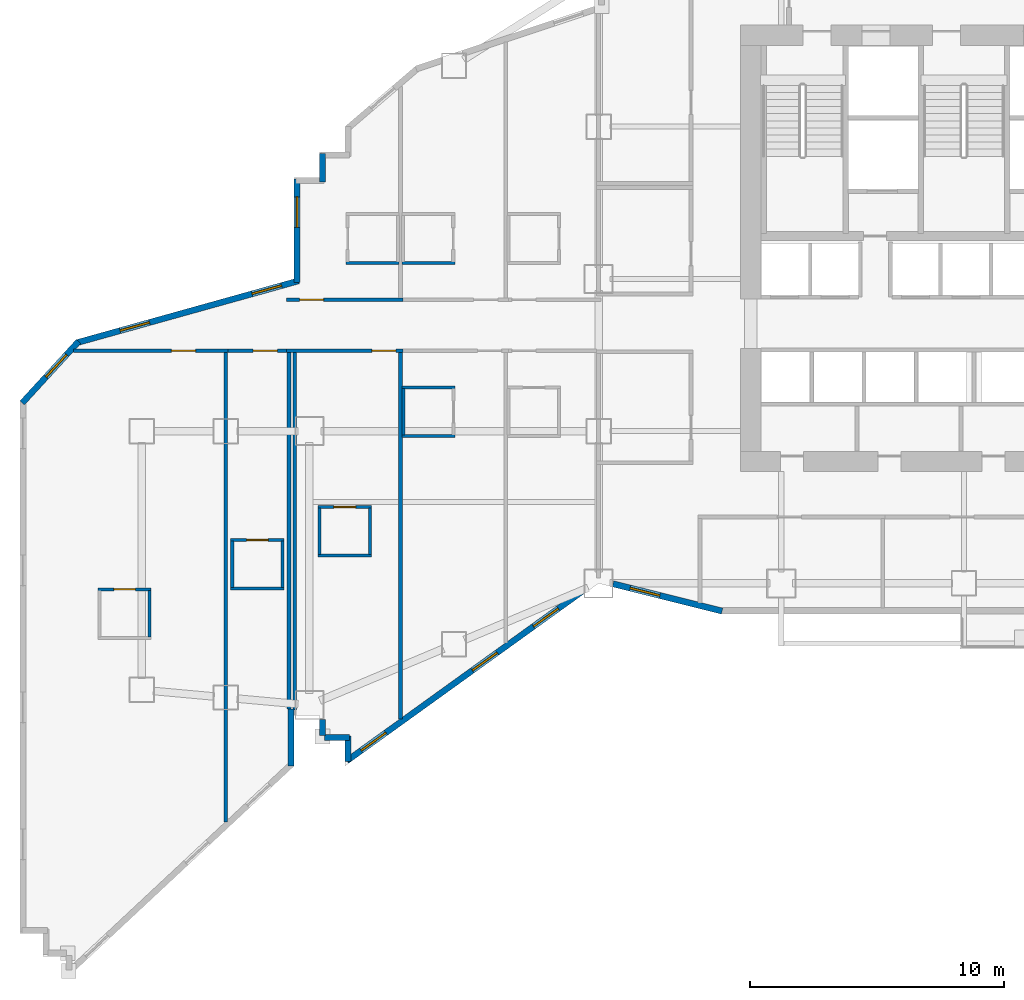
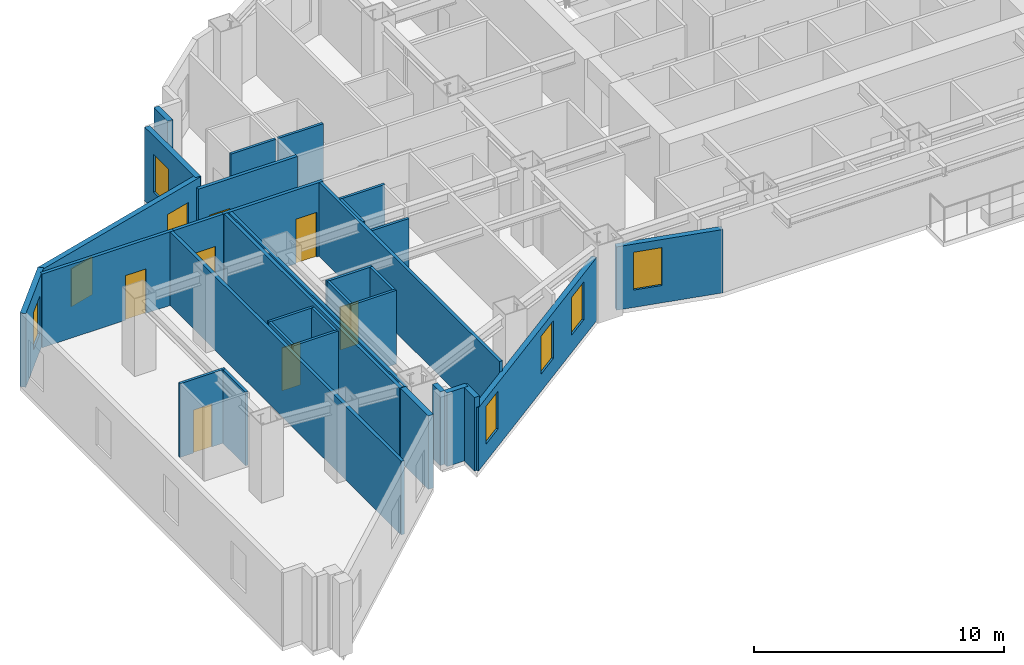
# One storey, part 7 of 17: 33 walls, 8 windows, 7 doors, 15 openings.
"""IFC4 building model written with IfcOpenShell, lengths in metres."""

from ifc_helpers import new_model, si_unit, direction, frame, frame_2d, origin, place, context, subcontext, project, spatial, rectangle, extrude, material, layer, layer_set, type_object, element, fill, save


model = new_model("IFC4")

# Units and contexts
model_context = context("Model", 3, precision=1e-05, world=origin(), true_north=direction((0.0, 1.0)))
body_context = subcontext(model_context, "Body", "Model", "MODEL_VIEW")
ifc_project = project(units=[si_unit("LENGTHUNIT", "METRE"), si_unit("AREAUNIT", "SQUARE_METRE"), si_unit("VOLUMEUNIT", "CUBIC_METRE"), si_unit("PLANEANGLEUNIT", "RADIAN"), si_unit("MASSUNIT", "GRAM", prefix="KILO")], contexts=[model_context])

# Site, building, storey
site_placement = place(None, origin())
site = spatial("IfcSite", under=ifc_project, at=site_placement, CompositionType="ELEMENT")
building_placement = place(site_placement, origin())
building = spatial("IfcBuilding", under=site, at=building_placement, Name="Haolan Belvedere Tower", CompositionType="ELEMENT")
storey_placement = place(building_placement, frame((0.0, 0.0, 81.800048828125)))
storey = spatial("IfcBuildingStorey", under=building, at=storey_placement, Name="L20", CompositionType="ELEMENT", Elevation=81.800048828125)

# Walls
ifc_material_1 = material(Name="Precast concrete C40/50", Category="concrete")
ifc_layer_1 = layer(ifc_material_1, 0.239990234375, Name="Precast concrete C40/50")
ifc_layer_set_1 = layer_set([ifc_layer_1], Name="Precast concrete C40/50")
wall_type_1 = type_object("IfcWallType", Name="WL-EXT-240", PredefinedType="SOLIDWALL", material=ifc_layer_set_1)
wall_1_placement = place(storey_placement, frame((11.8798828125, 14.397216796875, 0.0), z_axis=(0.0, 0.0, 1.0), x_axis=(0.0, 1.0, 0.0)))
element("IfcWall", 1, at=wall_1_placement, inside=storey, type_object=wall_type_1, Name="L20 pale-metal exterior spandrel wall 6.1", PredefinedType="SOLIDWALL", context=body_context, shape_type="SweptSolid", body=[
    extrude(rectangle(XDim=2.24267578125, YDim=0.239990234375, at=frame_2d((1.121337890625, 0.0))), origin(), (0.0, 0.0, 1.0), 3.599853515625),
])
wall_2_placement = place(storey_placement, frame((13.1201171875, 16.23291015625, 0.0), z_axis=(0.0, 0.0, 1.0), x_axis=(0.0, -1.0, 0.0)))
element("IfcWall", 2, at=wall_2_placement, inside=storey, type_object=wall_type_1, Name="L20 pale-metal exterior spandrel wall 8.1", PredefinedType="SOLIDWALL", context=body_context, shape_type="SweptSolid", body=[
    extrude(rectangle(XDim=0.6279296875, YDim=0.239990234375, at=frame_2d((0.31396484375, 0.0))), origin(), (0.0, 0.0, 1.0), 3.599853515625),
])
wall_3_placement = place(storey_placement, frame((13.205078125, 15.52001953125, 0.0), z_axis=(0.0, 0.0, 1.0), x_axis=(1.0, 0.0, 0.0)))
element("IfcWall", 3, at=wall_3_placement, inside=storey, type_object=wall_type_1, Name="L20 pale-metal exterior spandrel wall 9.1", PredefinedType="SOLIDWALL", context=body_context, shape_type="SweptSolid", body=[
    extrude(rectangle(XDim=0.969970703125, YDim=0.239990234375, at=frame_2d((0.48486328125, 0.0))), origin(), (0.0, 0.0, 1.0), 3.599853515625),
])
wall_4_placement = place(storey_placement, frame((14.1201171875, 15.574951171875, 0.0), z_axis=(0.0, 0.0, 1.0), x_axis=(0.0, -1.0, 0.0)))
element("IfcWall", 4, at=wall_4_placement, inside=storey, type_object=wall_type_1, Name="L20 pale-metal exterior spandrel wall 10.1", PredefinedType="SOLIDWALL", context=body_context, shape_type="SweptSolid", body=[
    extrude(rectangle(XDim=0.99560546875, YDim=0.239990234375, at=frame_2d((0.497802734375, 0.0))), origin(), (0.0, 0.0, 1.0), 3.599853515625),
])

# Wall, openings, windows
wall_5_placement = place(storey_placement, frame((14.075439453125, 14.602294921875, 0.0), z_axis=(0.0, 0.0, 1.0), x_axis=(0.811543176492, 0.58429245476, 0.0)))
wall_5 = element("IfcWall", 5, at=wall_5_placement, inside=storey, type_object=wall_type_1, Name="L20 pale-metal exterior spandrel wall 11.1", PredefinedType="SOLIDWALL", context=body_context, shape_type="SweptSolid", body=[
    extrude(rectangle(XDim=11.53076171875, YDim=0.239990234375, at=frame_2d((5.765380859375, 0.0))), origin(), (0.0, 0.0, 1.0), 3.096923828125),
])
opening_1_placement = place(wall_5_placement, frame((0.699951171875, 0.0, 0.85009765625)))
opening_1 = element("IfcOpeningElement", 6, at=opening_1_placement, cuts=wall_5, Name="Opening W-01", PredefinedType="OPENING", context=body_context, shape_type="SweptSolid", body=[
    extrude(rectangle(XDim=1.199951171875, YDim=1.85009765625, at=frame_2d((0.60009765625, 0.925048828125))), frame((0.0, 0.1298828125, 0.0), z_axis=(0.0, -1.0, 0.0), x_axis=(1.0, 0.0, 0.0)), (0.0, 0.0, 1.0), 0.260009765625),
])
opening_2_placement = place(wall_5_placement, frame((6.10009765625, 0.0, 0.85009765625)))
opening_2 = element("IfcOpeningElement", 7, at=opening_2_placement, cuts=wall_5, Name="Opening W-01", PredefinedType="OPENING", context=body_context, shape_type="SweptSolid", body=[
    extrude(rectangle(XDim=1.199951171875, YDim=1.85009765625, at=frame_2d((0.60009765625, 0.925048828125))), frame((0.0, 0.1298828125, 0.0), z_axis=(0.0, -1.0, 0.0), x_axis=(1.0, 0.0, 0.0)), (0.0, 0.0, 1.0), 0.260009765625),
])
opening_3_placement = place(wall_5_placement, frame((9.069580078125, 0.0, 0.85009765625)))
opening_3 = element("IfcOpeningElement", 8, at=opening_3_placement, cuts=wall_5, Name="Opening W-01", PredefinedType="OPENING", context=body_context, shape_type="SweptSolid", body=[
    extrude(rectangle(XDim=1.199951171875, YDim=1.85009765625, at=frame_2d((0.60009765625, 0.925048828125))), frame((0.0, 0.1298828125, 0.0), z_axis=(0.0, -1.0, 0.0), x_axis=(1.0, 0.0, 0.0)), (0.0, 0.0, 1.0), 0.260009765625),
])
ifc_material_2 = material(Name="Anodised aluminium 6063-T6 and Low-E glass", Category="aluminium")
window_type = type_object("IfcWindowType", Name="WN-DECO-Z1", PartitioningType="SINGLE_PANEL", PredefinedType="WINDOW", material=ifc_material_2)
window_1_placement = place(opening_1_placement, origin())
window_1 = element("IfcWindow", 9, at=window_1_placement, inside=storey, type_object=window_type, Name="L20 Art Deco chevron window 1", OverallHeight=1.85009765625, OverallWidth=1.199951171875, PartitioningType="SINGLE_PANEL", PredefinedType="WINDOW", context=body_context, shape_type="SweptSolid", body=[
    extrude(rectangle(XDim=1.199951171875, YDim=1.85009765625, at=frame_2d((0.60009765625, 0.925048828125))), frame((0.0, 0.030029296875, 0.0), z_axis=(0.0, -1.0, 0.0), x_axis=(1.0, 0.0, 0.0)), (0.0, 0.0, 1.0), 0.06005859375),
])
fill(opening_1, window_1)
window_2_placement = place(opening_2_placement, origin())
window_2 = element("IfcWindow", 10, at=window_2_placement, inside=storey, type_object=window_type, Name="L20 Art Deco chevron window 2", OverallHeight=1.85009765625, OverallWidth=1.199951171875, PartitioningType="SINGLE_PANEL", PredefinedType="WINDOW", context=body_context, shape_type="SweptSolid", body=[
    extrude(rectangle(XDim=1.199951171875, YDim=1.85009765625, at=frame_2d((0.60009765625, 0.925048828125))), frame((0.0, 0.030029296875, 0.0), z_axis=(0.0, -1.0, 0.0), x_axis=(1.0, 0.0, 0.0)), (0.0, 0.0, 1.0), 0.06005859375),
])
fill(opening_2, window_2)
window_3_placement = place(opening_3_placement, origin())
window_3 = element("IfcWindow", 11, at=window_3_placement, inside=storey, type_object=window_type, Name="L20 Art Deco guestroom window 1", OverallHeight=1.85009765625, OverallWidth=1.199951171875, PartitioningType="SINGLE_PANEL", PredefinedType="WINDOW", context=body_context, shape_type="SweptSolid", body=[
    extrude(rectangle(XDim=1.199951171875, YDim=1.85009765625, at=frame_2d((0.60009765625, 0.925048828125))), frame((0.0, 0.030029296875, 0.0), z_axis=(0.0, -1.0, 0.0), x_axis=(1.0, 0.0, 0.0)), (0.0, 0.0, 1.0), 0.06005859375),
])
fill(opening_3, window_3)

# Wall, opening, window
wall_6_placement = place(storey_placement, frame((24.56689453125, 21.581787109375, 0.0), z_axis=(0.0, 0.0, 1.0), x_axis=(0.970148978127, -0.24250971164, 0.0)))
wall_6 = element("IfcWall", 12, at=wall_6_placement, inside=storey, type_object=wall_type_1, Name="L20 pale-metal exterior spandrel wall 12.1", PredefinedType="SOLIDWALL", context=body_context, shape_type="SweptSolid", body=[
    extrude(rectangle(XDim=4.43359375, YDim=0.239990234375, at=frame_2d((2.216796875, 0.0))), origin(), (0.0, 0.0, 1.0), 3.096923828125),
])
opening_4_placement = place(wall_6_placement, frame((0.699951171875, 0.0, 0.85009765625)))
opening_4 = element("IfcOpeningElement", 13, at=opening_4_placement, cuts=wall_6, Name="Opening W-01", PredefinedType="OPENING", context=body_context, shape_type="SweptSolid", body=[
    extrude(rectangle(XDim=1.199951171875, YDim=1.85009765625, at=frame_2d((0.60009765625, 0.925048828125))), frame((0.0, 0.1298828125, 0.0), z_axis=(0.0, -1.0, 0.0), x_axis=(1.0, 0.0, 0.0)), (0.0, 0.0, 1.0), 0.260009765625),
])
window_4_placement = place(opening_4_placement, origin())
window_4 = element("IfcWindow", 14, at=window_4_placement, inside=storey, type_object=window_type, Name="L20 Art Deco chevron window 1", OverallHeight=1.85009765625, OverallWidth=1.199951171875, PartitioningType="SINGLE_PANEL", PredefinedType="WINDOW", context=body_context, shape_type="SweptSolid", body=[
    extrude(rectangle(XDim=1.199951171875, YDim=1.85009765625, at=frame_2d((0.60009765625, 0.925048828125))), frame((0.0, 0.030029296875, 0.0), z_axis=(0.0, -1.0, 0.0), x_axis=(1.0, 0.0, 0.0)), (0.0, 0.0, 1.0), 0.06005859375),
])
fill(opening_4, window_4)

# Wall
wall_7_placement = place(storey_placement, frame((13.1201171875, 38.534912109375, 0.0), z_axis=(0.0, 0.0, 1.0), x_axis=(0.0, -1.0, 0.0)))
element("IfcWall", 15, at=wall_7_placement, inside=storey, type_object=wall_type_1, Name="L20 pale-metal exterior spandrel wall 54.1", PredefinedType="SOLIDWALL", context=body_context, shape_type="SweptSolid", body=[
    extrude(rectangle(XDim=1.10986328125, YDim=0.239990234375, at=frame_2d((0.554931640625, 0.0))), origin(), (0.0, 0.0, 1.0), 3.599853515625),
])

# Wall, opening, window
wall_8_placement = place(storey_placement, frame((12.1201171875, 37.534912109375, 0.0), z_axis=(0.0, 0.0, 1.0), x_axis=(0.0, -1.0, 0.0)))
wall_8 = element("IfcWall", 16, at=wall_8_placement, inside=storey, type_object=wall_type_1, Name="L20 pale-metal exterior spandrel wall 56.1", PredefinedType="SOLIDWALL", context=body_context, shape_type="SweptSolid", body=[
    extrude(rectangle(XDim=4.0810546875, YDim=0.239990234375, at=frame_2d((2.04052734375, 0.0))), origin(), (0.0, 0.0, 1.0), 3.599853515625),
])
opening_5_placement = place(wall_8_placement, frame((0.699951171875, 0.0, 0.85009765625)))
opening_5 = element("IfcOpeningElement", 17, at=opening_5_placement, cuts=wall_8, Name="Opening W-01", PredefinedType="OPENING", context=body_context, shape_type="SweptSolid", body=[
    extrude(rectangle(XDim=1.199951171875, YDim=1.85009765625, at=frame_2d((0.60009765625, 0.925048828125))), frame((0.0, 0.1298828125, 0.0), z_axis=(0.0, -1.0, 0.0), x_axis=(1.0, 0.0, 0.0)), (0.0, 0.0, 1.0), 0.260009765625),
])
window_5_placement = place(opening_5_placement, origin())
window_5 = element("IfcWindow", 18, at=window_5_placement, inside=storey, type_object=window_type, Name="L20 Art Deco chevron window 1", OverallHeight=1.85009765625, OverallWidth=1.199951171875, PartitioningType="SINGLE_PANEL", PredefinedType="WINDOW", context=body_context, shape_type="SweptSolid", body=[
    extrude(rectangle(XDim=1.199951171875, YDim=1.85009765625, at=frame_2d((0.60009765625, 0.925048828125))), frame((0.0, 0.030029296875, 0.0), z_axis=(0.0, -1.0, 0.0), x_axis=(1.0, 0.0, 0.0)), (0.0, 0.0, 1.0), 0.06005859375),
])
fill(opening_5, window_5)

# Wall, openings, windows
wall_9_placement = place(storey_placement, frame((12.173095703125, 33.523681640625, 0.0), z_axis=(0.0, 0.0, 1.0), x_axis=(-0.963197271032, -0.268795493036, 0.0)))
wall_9 = element("IfcWall", 19, at=wall_9_placement, inside=storey, type_object=wall_type_1, Name="L20 pale-metal exterior spandrel wall 57.1", PredefinedType="SOLIDWALL", context=body_context, shape_type="SweptSolid", body=[
    extrude(rectangle(XDim=9.095458984375, YDim=0.239990234375, at=frame_2d((4.5478515625, 0.0))), origin(), (0.0, 0.0, 1.0), 3.599853515625),
])
opening_6_placement = place(wall_9_placement, frame((0.699951171875, 0.0, 0.85009765625)))
opening_6 = element("IfcOpeningElement", 20, at=opening_6_placement, cuts=wall_9, Name="Opening W-01", PredefinedType="OPENING", context=body_context, shape_type="SweptSolid", body=[
    extrude(rectangle(XDim=1.199951171875, YDim=1.85009765625, at=frame_2d((0.60009765625, 0.925048828125))), frame((0.0, 0.1298828125, 0.0), z_axis=(0.0, -1.0, 0.0), x_axis=(1.0, 0.0, 0.0)), (0.0, 0.0, 1.0), 0.260009765625),
])
opening_7_placement = place(wall_9_placement, frame((6.10009765625, 0.0, 0.85009765625)))
opening_7 = element("IfcOpeningElement", 21, at=opening_7_placement, cuts=wall_9, Name="Opening W-01", PredefinedType="OPENING", context=body_context, shape_type="SweptSolid", body=[
    extrude(rectangle(XDim=1.199951171875, YDim=1.85009765625, at=frame_2d((0.60009765625, 0.925048828125))), frame((0.0, 0.1298828125, 0.0), z_axis=(0.0, -1.0, 0.0), x_axis=(1.0, 0.0, 0.0)), (0.0, 0.0, 1.0), 0.260009765625),
])
window_6_placement = place(opening_6_placement, origin())
window_6 = element("IfcWindow", 22, at=window_6_placement, inside=storey, type_object=window_type, Name="L20 Art Deco chevron window 1", OverallHeight=1.85009765625, OverallWidth=1.199951171875, PartitioningType="SINGLE_PANEL", PredefinedType="WINDOW", context=body_context, shape_type="SweptSolid", body=[
    extrude(rectangle(XDim=1.199951171875, YDim=1.85009765625, at=frame_2d((0.60009765625, 0.925048828125))), frame((0.0, 0.030029296875, 0.0), z_axis=(0.0, -1.0, 0.0), x_axis=(1.0, 0.0, 0.0)), (0.0, 0.0, 1.0), 0.06005859375),
])
fill(opening_6, window_6)
window_7_placement = place(opening_7_placement, origin())
window_7 = element("IfcWindow", 23, at=window_7_placement, inside=storey, type_object=window_type, Name="L20 Art Deco chevron window 2", OverallHeight=1.85009765625, OverallWidth=1.199951171875, PartitioningType="SINGLE_PANEL", PredefinedType="WINDOW", context=body_context, shape_type="SweptSolid", body=[
    extrude(rectangle(XDim=1.199951171875, YDim=1.85009765625, at=frame_2d((0.60009765625, 0.925048828125))), frame((0.0, 0.030029296875, 0.0), z_axis=(0.0, -1.0, 0.0), x_axis=(1.0, 0.0, 0.0)), (0.0, 0.0, 1.0), 0.06005859375),
])
fill(opening_7, window_7)

# Wall, opening, window
wall_10_placement = place(storey_placement, frame((3.50244140625, 31.134033203125, 0.0), z_axis=(0.0, 0.0, 1.0), x_axis=(-0.675781844312, -0.737101688302, 0.0)))
wall_10 = element("IfcWall", 24, at=wall_10_placement, inside=storey, type_object=wall_type_1, Name="L20 pale-metal exterior spandrel wall 58.1", PredefinedType="SOLIDWALL", context=body_context, shape_type="SweptSolid", body=[
    extrude(rectangle(XDim=3.28466796875, YDim=0.239990234375, at=frame_2d((1.642333984375, 0.0))), origin(), (0.0, 0.0, 1.0), 3.599853515625),
])
opening_8_placement = place(wall_10_placement, frame((0.699951171875, 0.0, 0.85009765625)))
opening_8 = element("IfcOpeningElement", 25, at=opening_8_placement, cuts=wall_10, Name="Opening W-01", PredefinedType="OPENING", context=body_context, shape_type="SweptSolid", body=[
    extrude(rectangle(XDim=1.199951171875, YDim=1.85009765625, at=frame_2d((0.60009765625, 0.925048828125))), frame((0.0, 0.1298828125, 0.0), z_axis=(0.0, -1.0, 0.0), x_axis=(1.0, 0.0, 0.0)), (0.0, 0.0, 1.0), 0.260009765625),
])
window_8_placement = place(opening_8_placement, origin())
window_8 = element("IfcWindow", 26, at=window_8_placement, inside=storey, type_object=window_type, Name="L20 Art Deco chevron window 1", OverallHeight=1.85009765625, OverallWidth=1.199951171875, PartitioningType="SINGLE_PANEL", PredefinedType="WINDOW", context=body_context, shape_type="SweptSolid", body=[
    extrude(rectangle(XDim=1.199951171875, YDim=1.85009765625, at=frame_2d((0.60009765625, 0.925048828125))), frame((0.0, 0.030029296875, 0.0), z_axis=(0.0, -1.0, 0.0), x_axis=(1.0, 0.0, 0.0)), (0.0, 0.0, 1.0), 0.06005859375),
])
fill(opening_8, window_8)

# Wall, opening, door
ifc_material_3 = material(Name="Double gypsum acoustic stud partition", Category="masonry")
ifc_layer_2 = layer(ifc_material_3, 0.14990234375, Name="Double gypsum acoustic stud partition")
ifc_layer_set_2 = layer_set([ifc_layer_2], Name="Double gypsum acoustic stud partition")
wall_type_2 = type_object("IfcWallType", Name="WL-PART-150", PredefinedType="PARTITIONING", material=ifc_layer_set_2)
wall_11_placement = place(storey_placement, frame((11.699951171875, 32.780029296875, 0.0), z_axis=(0.0, 0.0, 1.0), x_axis=(1.0, 0.0, 0.0)))
wall_11 = element("IfcWall", 27, at=wall_11_placement, inside=storey, type_object=wall_type_2, Name="L20 interior partition IW-L20-T2N1-S", PredefinedType="PARTITIONING", context=body_context, shape_type="SweptSolid", body=[
    extrude(rectangle(XDim=4.590087890625, YDim=0.14990234375, at=frame_2d((2.294921875, 0.0))), origin(), (0.0, 0.0, 1.0), 3.599853515625),
])
opening_9_placement = place(wall_11_placement, frame((0.515625, 0.0, 0.0)))
opening_9 = element("IfcOpeningElement", 28, at=opening_9_placement, cuts=wall_11, Name="Opening ID-02", PredefinedType="OPENING", context=body_context, shape_type="SweptSolid", body=[
    extrude(rectangle(XDim=0.949951171875, YDim=2.14990234375, at=frame_2d((0.47509765625, 1.074951171875))), frame((0.0, 0.0849609375, 0.0), z_axis=(0.0, -1.0, 0.0), x_axis=(1.0, 0.0, 0.0)), (0.0, 0.0, 1.0), 0.169921875),
])
ifc_material_4 = material(Name="Acoustic oak veneer fire-rated timber", Category="wood")
door_type_1 = type_object("IfcDoorType", Name="DR-GUEST-950", OperationType="NOTDEFINED", PredefinedType="DOOR", material=ifc_material_4)
door_1_placement = place(opening_9_placement, origin())
door_1 = element("IfcDoor", 29, at=door_1_placement, inside=storey, type_object=door_type_1, Name="L20 door ID-L20-T2N1-ENT", OperationType="SINGLE_SWING_RIGHT", OverallHeight=2.14990234375, OverallWidth=0.949951171875, PredefinedType="DOOR", context=body_context, shape_type="SweptSolid", body=[
    extrude(rectangle(XDim=0.949951171875, YDim=2.14990234375, at=frame_2d((0.47509765625, 1.074951171875))), frame((0.0, 0.02490234375, 0.0), z_axis=(0.0, -1.0, 0.0), x_axis=(1.0, 0.0, 0.0)), (0.0, 0.0, 1.0), 0.050048828125),
])
fill(opening_9, door_1)

wall_12_placement = place(storey_placement, frame((11.699951171875, 30.77001953125, 0.0), z_axis=(0.0, 0.0, 1.0), x_axis=(1.0, 0.0, 0.0)))
wall_12 = element("IfcWall", 30, at=wall_12_placement, inside=storey, type_object=wall_type_2, Name="L20 interior partition IW-L20-T2S1-N", PredefinedType="PARTITIONING", context=body_context, shape_type="SweptSolid", body=[
    extrude(rectangle(XDim=4.590087890625, YDim=0.14990234375, at=frame_2d((2.294921875, 0.0))), origin(), (0.0, 0.0, 1.0), 3.599853515625),
])
opening_10_placement = place(wall_12_placement, frame((4.311279296875, 0.0, 0.0), z_axis=(0.0, 0.0, 1.0), x_axis=(-1.0, 0.0, 0.0)))
opening_10 = element("IfcOpeningElement", 31, at=opening_10_placement, cuts=wall_12, Name="Opening ID-01", PredefinedType="OPENING", context=body_context, shape_type="SweptSolid", body=[
    extrude(rectangle(XDim=0.949951171875, YDim=2.179931640625, at=frame_2d((0.47509765625, 1.08984375))), frame((0.0, 0.0849609375, 0.0), z_axis=(0.0, -1.0, 0.0), x_axis=(1.0, 0.0, 0.0)), (0.0, 0.0, 1.0), 0.169921875),
])
ifc_material_5 = material(Name="Acoustic walnut veneer fire-rated timber", Category="wood")
door_type_2 = type_object("IfcDoorType", Name="DR-SUITE-950", OperationType="NOTDEFINED", PredefinedType="DOOR", material=ifc_material_5)
door_2_placement = place(opening_10_placement, origin())
door_2 = element("IfcDoor", 32, at=door_2_placement, inside=storey, type_object=door_type_2, Name="L20 door ID-L20-T2S1-ENT", OperationType="SINGLE_SWING_LEFT", OverallHeight=2.179931640625, OverallWidth=0.949951171875, PredefinedType="DOOR", context=body_context, shape_type="SweptSolid", body=[
    extrude(rectangle(XDim=0.949951171875, YDim=2.179931640625, at=frame_2d((0.47509765625, 1.08984375))), frame((0.0, 0.02490234375, 0.0), z_axis=(0.0, -1.0, 0.0), x_axis=(1.0, 0.0, 0.0)), (0.0, 0.0, 1.0), 0.050048828125),
])
fill(opening_10, door_2)

# Walls
wall_13_placement = place(storey_placement, frame((11.800048828125, 16.64208984375, 0.0), z_axis=(0.0, 0.0, 1.0), x_axis=(0.0, 1.0, 0.0)))
element("IfcWall", 33, at=wall_13_placement, inside=storey, type_object=wall_type_2, Name="L20 interior partition IW-L20-T2S1-W", PredefinedType="PARTITIONING", context=body_context, shape_type="SweptSolid", body=[
    extrude(rectangle(XDim=14.06787109375, YDim=0.14990234375, at=frame_2d((7.033935546875, 0.0))), origin(), (0.0, 0.0, 1.0), 3.599853515625),
])
wall_14_placement = place(storey_placement, frame((16.18994140625, 16.254150390625, 0.0), z_axis=(0.0, 0.0, 1.0), x_axis=(0.0, 1.0, 0.0)))
element("IfcWall", 34, at=wall_14_placement, inside=storey, type_object=wall_type_2, Name="L20 interior partition IW-L20-T2S1-E", PredefinedType="PARTITIONING", context=body_context, shape_type="SweptSolid", body=[
    extrude(rectangle(XDim=14.455810546875, YDim=0.14990234375, at=frame_2d((7.22802734375, 0.0))), origin(), (0.0, 0.0, 1.0), 3.599853515625),
])

# Wall, opening, door
wall_15_placement = place(storey_placement, frame((3.311279296875, 30.77001953125, 0.0), z_axis=(0.0, 0.0, 1.0), x_axis=(1.0, 0.0, 0.0)))
wall_15 = element("IfcWall", 35, at=wall_15_placement, inside=storey, type_object=wall_type_2, Name="L20 interior partition IW-L20-T1S1-N", PredefinedType="PARTITIONING", context=body_context, shape_type="SweptSolid", body=[
    extrude(rectangle(XDim=6.088623046875, YDim=0.14990234375, at=frame_2d((3.04443359375, 0.0))), origin(), (0.0, 0.0, 1.0), 3.599853515625),
])
opening_11_placement = place(wall_15_placement, frame((4.800537109375, 0.0, 0.0), z_axis=(0.0, 0.0, 1.0), x_axis=(-1.0, 0.0, 0.0)))
opening_11 = element("IfcOpeningElement", 36, at=opening_11_placement, cuts=wall_15, Name="Opening ID-01", PredefinedType="OPENING", context=body_context, shape_type="SweptSolid", body=[
    extrude(rectangle(XDim=0.949951171875, YDim=2.179931640625, at=frame_2d((0.47509765625, 1.08984375))), frame((0.0, 0.0849609375, 0.0), z_axis=(0.0, -1.0, 0.0), x_axis=(1.0, 0.0, 0.0)), (0.0, 0.0, 1.0), 0.169921875),
])
door_3_placement = place(opening_11_placement, origin())
door_3 = element("IfcDoor", 37, at=door_3_placement, inside=storey, type_object=door_type_2, Name="L20 door ID-L20-T1S1-ENT", OperationType="SINGLE_SWING_RIGHT", OverallHeight=2.179931640625, OverallWidth=0.949951171875, PredefinedType="DOOR", context=body_context, shape_type="SweptSolid", body=[
    extrude(rectangle(XDim=0.949951171875, YDim=2.179931640625, at=frame_2d((0.47509765625, 1.08984375))), frame((0.0, 0.02490234375, 0.0), z_axis=(0.0, -1.0, 0.0), x_axis=(1.0, 0.0, 0.0)), (0.0, 0.0, 1.0), 0.050048828125),
])
fill(opening_11, door_3)

# Wall
wall_16_placement = place(storey_placement, frame((9.300048828125, 12.187744140625, 0.0), z_axis=(0.0, 0.0, 1.0), x_axis=(0.0, 1.0, 0.0)))
element("IfcWall", 38, at=wall_16_placement, inside=storey, type_object=wall_type_2, Name="L20 interior partition IW-L20-T1S1-E", PredefinedType="PARTITIONING", context=body_context, shape_type="SweptSolid", body=[
    extrude(rectangle(XDim=18.522216796875, YDim=0.14990234375, at=frame_2d((9.26123046875, 0.0))), origin(), (0.0, 0.0, 1.0), 3.599853515625),
])

# Wall, opening, door
wall_17_placement = place(storey_placement, frame((9.402099609375, 30.77001953125, 0.0), z_axis=(0.0, 0.0, 1.0), x_axis=(1.0, 0.0, 0.0)))
wall_17 = element("IfcWall", 39, at=wall_17_placement, inside=storey, type_object=wall_type_2, Name="L20 interior partition IW-L20-T1S2-N", PredefinedType="PARTITIONING", context=body_context, shape_type="SweptSolid", body=[
    extrude(rectangle(XDim=2.2958984375, YDim=0.14990234375, at=frame_2d((1.14794921875, 0.0))), origin(), (0.0, 0.0, 1.0), 3.599853515625),
])
opening_12_placement = place(wall_17_placement, frame((1.93408203125, 0.0, 0.0), z_axis=(0.0, 0.0, 1.0), x_axis=(-1.0, 0.0, 0.0)))
opening_12 = element("IfcOpeningElement", 40, at=opening_12_placement, cuts=wall_17, Name="Opening ID-02", PredefinedType="OPENING", context=body_context, shape_type="SweptSolid", body=[
    extrude(rectangle(XDim=0.949951171875, YDim=2.14990234375, at=frame_2d((0.47509765625, 1.074951171875))), frame((0.0, 0.0849609375, 0.0), z_axis=(0.0, -1.0, 0.0), x_axis=(1.0, 0.0, 0.0)), (0.0, 0.0, 1.0), 0.169921875),
])
door_4_placement = place(opening_12_placement, origin())
door_4 = element("IfcDoor", 41, at=door_4_placement, inside=storey, type_object=door_type_1, Name="L20 door ID-L20-T1S2-ENT", OperationType="SINGLE_SWING_LEFT", OverallHeight=2.14990234375, OverallWidth=0.949951171875, PredefinedType="DOOR", context=body_context, shape_type="SweptSolid", body=[
    extrude(rectangle(XDim=0.949951171875, YDim=2.14990234375, at=frame_2d((0.47509765625, 1.074951171875))), frame((0.0, 0.02490234375, 0.0), z_axis=(0.0, -1.0, 0.0), x_axis=(1.0, 0.0, 0.0)), (0.0, 0.0, 1.0), 0.050048828125),
])
fill(opening_12, door_4)

# Walls
wall_18_placement = place(storey_placement, frame((12.02001953125, 16.612060546875, 0.0), z_axis=(0.0, 0.0, 1.0), x_axis=(0.0, 1.0, 0.0)))
element("IfcWall", 42, at=wall_18_placement, inside=storey, type_object=wall_type_2, Name="L20 interior partition IW-L20-T1S2-E", PredefinedType="PARTITIONING", context=body_context, shape_type="SweptSolid", body=[
    extrude(rectangle(XDim=14.097900390625, YDim=0.14990234375, at=frame_2d((7.048828125, 0.0))), origin(), (0.0, 0.0, 1.0), 3.599853515625),
])
ifc_material_6 = material(Name="Moisture-resistant gypsum tile partition", Category="masonry")
ifc_layer_3 = layer(ifc_material_6, 0.1201171875, Name="Moisture-resistant gypsum tile partition")
ifc_layer_set_3 = layer_set([ifc_layer_3], Name="Moisture-resistant gypsum tile partition")
wall_type_3 = type_object("IfcWallType", Name="WL-WET-120", PredefinedType="PARTITIONING", material=ifc_layer_set_3)
wall_19_placement = place(storey_placement, frame((14.050048828125, 34.22998046875, 0.0), z_axis=(0.0, 0.0, 1.0), x_axis=(1.0, 0.0, 0.0)))
element("IfcWall", 43, at=wall_19_placement, inside=storey, type_object=wall_type_3, Name="L20 interior partition IW-L20-T2N1-BS", PredefinedType="PARTITIONING", context=body_context, shape_type="SweptSolid", body=[
    extrude(rectangle(XDim=2.079833984375, YDim=0.1201171875, at=frame_2d((1.0400390625, 0.0))), origin(), (0.0, 0.0, 1.0), 3.599853515625),
])
wall_20_placement = place(storey_placement, frame((16.25, 34.22998046875, 0.0), z_axis=(0.0, 0.0, 1.0), x_axis=(1.0, 0.0, 0.0)))
element("IfcWall", 44, at=wall_20_placement, inside=storey, type_object=wall_type_3, Name="L20 interior partition IW-L20-T2N2-BS", PredefinedType="PARTITIONING", context=body_context, shape_type="SweptSolid", body=[
    extrude(rectangle(XDim=2.080078125, YDim=0.1201171875, at=frame_2d((1.0400390625, 0.0))), origin(), (0.0, 0.0, 1.0), 3.599853515625),
])

# Wall, opening, door
wall_21_placement = place(storey_placement, frame((12.945068359375, 24.610107421875, 0.0), z_axis=(0.0, 0.0, 1.0), x_axis=(1.0, 0.0, 0.0)))
wall_21 = element("IfcWall", 45, at=wall_21_placement, inside=storey, type_object=wall_type_3, Name="L20 interior partition IW-L20-T2S1-BN", PredefinedType="PARTITIONING", context=body_context, shape_type="SweptSolid", body=[
    extrude(rectangle(XDim=2.099853515625, YDim=0.1201171875, at=frame_2d((1.0498046875, 0.0))), origin(), (0.0, 0.0, 1.0), 3.599853515625),
])
opening_13_placement = place(wall_21_placement, frame((1.47509765625, 0.0, 0.0), z_axis=(0.0, 0.0, 1.0), x_axis=(-1.0, 0.0, 0.0)))
opening_13 = element("IfcOpeningElement", 46, at=opening_13_placement, cuts=wall_21, Name="Opening ID-05", PredefinedType="OPENING", context=body_context, shape_type="SweptSolid", body=[
    extrude(rectangle(XDim=0.85009765625, YDim=2.10009765625, at=frame_2d((0.425048828125, 1.050048828125))), frame((0.0, 0.070068359375, 0.0), z_axis=(0.0, -1.0, 0.0), x_axis=(1.0, 0.0, 0.0)), (0.0, 0.0, 1.0), 0.14013671875),
])
ifc_material_7 = material(Name="Moisture-resistant lacquered timber", Category="wood")
door_type_3 = type_object("IfcDoorType", Name="DR-BATH-850", OperationType="NOTDEFINED", PredefinedType="DOOR", material=ifc_material_7)
door_5_placement = place(opening_13_placement, origin())
door_5 = element("IfcDoor", 47, at=door_5_placement, inside=storey, type_object=door_type_3, Name="L20 door ID-L20-T2S1-BATH", OperationType="SINGLE_SWING_RIGHT", OverallHeight=2.10009765625, OverallWidth=0.85009765625, PredefinedType="DOOR", context=body_context, shape_type="SweptSolid", body=[
    extrude(rectangle(XDim=0.85009765625, YDim=2.10009765625, at=frame_2d((0.425048828125, 1.050048828125))), frame((0.0, 0.02490234375, 0.0), z_axis=(0.0, -1.0, 0.0), x_axis=(1.0, 0.0, 0.0)), (0.0, 0.0, 1.0), 0.050048828125),
])
fill(opening_13, door_5)

# Walls
wall_22_placement = place(storey_placement, frame((12.945068359375, 22.68994140625, 0.0), z_axis=(0.0, 0.0, 1.0), x_axis=(1.0, 0.0, 0.0)))
element("IfcWall", 48, at=wall_22_placement, inside=storey, type_object=wall_type_3, Name="L20 interior partition IW-L20-T2S1-BS", PredefinedType="PARTITIONING", context=body_context, shape_type="SweptSolid", body=[
    extrude(rectangle(XDim=2.099853515625, YDim=0.1201171875, at=frame_2d((1.0498046875, 0.0))), origin(), (0.0, 0.0, 1.0), 3.599853515625),
])
for number, where, z_axis, x_axis, name in (
    (49, (13.0048828125, 22.735107421875, 0.0), (0.0, 0.0, 1.0), (0.0, 1.0, 0.0), "L20 interior partition IW-L20-T2S1-BW"),
    (50, (14.985107421875, 22.735107421875, 0.0), (0.0, 0.0, 1.0), (0.0, 1.0, 0.0), "L20 interior partition IW-L20-T2S1-BE"),
):
    element("IfcWall", number, at=place(storey_placement, frame(where, z_axis=z_axis, x_axis=x_axis)), inside=storey, type_object=wall_type_3, Name=name, PredefinedType="PARTITIONING", context=body_context, shape_type="SweptSolid", body=[
        extrude(rectangle(XDim=1.829833984375, YDim=0.1201171875, at=frame_2d((0.9150390625, 0.0))), origin(), (0.0, 0.0, 1.0), 3.599853515625),
    ])
wall_23_placement = place(storey_placement, frame((16.25, 29.320068359375, 0.0), z_axis=(0.0, 0.0, 1.0), x_axis=(1.0, 0.0, 0.0)))
element("IfcWall", 51, at=wall_23_placement, inside=storey, type_object=wall_type_3, Name="L20 interior partition IW-L20-T2S2-BN", PredefinedType="PARTITIONING", context=body_context, shape_type="SweptSolid", body=[
    extrude(rectangle(XDim=2.094970703125, YDim=0.1201171875, at=frame_2d((1.04736328125, 0.0))), origin(), (0.0, 0.0, 1.0), 3.599853515625),
])
wall_24_placement = place(storey_placement, frame((16.25, 27.39990234375, 0.0), z_axis=(0.0, 0.0, 1.0), x_axis=(1.0, 0.0, 0.0)))
element("IfcWall", 52, at=wall_24_placement, inside=storey, type_object=wall_type_3, Name="L20 interior partition IW-L20-T2S2-BS", PredefinedType="PARTITIONING", context=body_context, shape_type="SweptSolid", body=[
    extrude(rectangle(XDim=2.094970703125, YDim=0.1201171875, at=frame_2d((1.04736328125, 0.0))), origin(), (0.0, 0.0, 1.0), 3.096923828125),
])
wall_25_placement = place(storey_placement, frame((16.304931640625, 27.445068359375, 0.0), z_axis=(0.0, 0.0, 1.0), x_axis=(0.0, 1.0, 0.0)))
element("IfcWall", 53, at=wall_25_placement, inside=storey, type_object=wall_type_3, Name="L20 interior partition IW-L20-T2S2-BW", PredefinedType="PARTITIONING", context=body_context, shape_type="SweptSolid", body=[
    extrude(rectangle(XDim=1.829833984375, YDim=0.1201171875, at=frame_2d((0.9150390625, 0.0))), origin(), (0.0, 0.0, 1.0), 3.599853515625),
])

# Wall, opening, door
wall_26_placement = place(storey_placement, frame((4.264892578125, 21.364013671875, 0.0), z_axis=(0.0, 0.0, 1.0), x_axis=(1.0, 0.0, 0.0)))
wall_26 = element("IfcWall", 54, at=wall_26_placement, inside=storey, type_object=wall_type_3, Name="L20 interior partition IW-L20-T1S1-BN", PredefinedType="PARTITIONING", context=body_context, shape_type="SweptSolid", body=[
    extrude(rectangle(XDim=2.10009765625, YDim=0.1201171875, at=frame_2d((1.050048828125, 0.0))), origin(), (0.0, 0.0, 1.0), 3.599853515625),
])
opening_14_placement = place(wall_26_placement, frame((1.47509765625, 0.0, 0.0), z_axis=(0.0, 0.0, 1.0), x_axis=(-1.0, 0.0, 0.0)))
opening_14 = element("IfcOpeningElement", 55, at=opening_14_placement, cuts=wall_26, Name="Opening ID-05", PredefinedType="OPENING", context=body_context, shape_type="SweptSolid", body=[
    extrude(rectangle(XDim=0.85009765625, YDim=2.10009765625, at=frame_2d((0.425048828125, 1.050048828125))), frame((0.0, 0.070068359375, 0.0), z_axis=(0.0, -1.0, 0.0), x_axis=(1.0, 0.0, 0.0)), (0.0, 0.0, 1.0), 0.14013671875),
])
door_6_placement = place(opening_14_placement, origin())
door_6 = element("IfcDoor", 56, at=door_6_placement, inside=storey, type_object=door_type_3, Name="L20 door ID-L20-T1S1-BATH", OperationType="SINGLE_SWING_LEFT", OverallHeight=2.10009765625, OverallWidth=0.85009765625, PredefinedType="DOOR", context=body_context, shape_type="SweptSolid", body=[
    extrude(rectangle(XDim=0.85009765625, YDim=2.10009765625, at=frame_2d((0.425048828125, 1.050048828125))), frame((0.0, 0.02490234375, 0.0), z_axis=(0.0, -1.0, 0.0), x_axis=(1.0, 0.0, 0.0)), (0.0, 0.0, 1.0), 0.050048828125),
])
fill(opening_14, door_6)

# Wall
wall_27_placement = place(storey_placement, frame((6.304931640625, 19.489013671875, 0.0), z_axis=(0.0, 0.0, 1.0), x_axis=(0.0, 1.0, 0.0)))
element("IfcWall", 57, at=wall_27_placement, inside=storey, type_object=wall_type_3, Name="L20 interior partition IW-L20-T1S1-BE", PredefinedType="PARTITIONING", context=body_context, shape_type="SweptSolid", body=[
    extrude(rectangle(XDim=1.830078125, YDim=0.1201171875, at=frame_2d((0.9150390625, 0.0))), origin(), (0.0, 0.0, 1.0), 3.599853515625),
])

# Wall, opening, door
wall_28_placement = place(storey_placement, frame((9.5, 23.31005859375, 0.0), z_axis=(0.0, 0.0, 1.0), x_axis=(1.0, 0.0, 0.0)))
wall_28 = element("IfcWall", 58, at=wall_28_placement, inside=storey, type_object=wall_type_3, Name="L20 interior partition IW-L20-T1S2-BN", PredefinedType="PARTITIONING", context=body_context, shape_type="SweptSolid", body=[
    extrude(rectangle(XDim=2.10009765625, YDim=0.1201171875, at=frame_2d((1.050048828125, 0.0))), origin(), (0.0, 0.0, 1.0), 3.599853515625),
])
opening_15_placement = place(wall_28_placement, frame((1.47509765625, 0.0, 0.0), z_axis=(0.0, 0.0, 1.0), x_axis=(-1.0, 0.0, 0.0)))
opening_15 = element("IfcOpeningElement", 59, at=opening_15_placement, cuts=wall_28, Name="Opening ID-05", PredefinedType="OPENING", context=body_context, shape_type="SweptSolid", body=[
    extrude(rectangle(XDim=0.85009765625, YDim=2.10009765625, at=frame_2d((0.425048828125, 1.050048828125))), frame((0.0, 0.070068359375, 0.0), z_axis=(0.0, -1.0, 0.0), x_axis=(1.0, 0.0, 0.0)), (0.0, 0.0, 1.0), 0.14013671875),
])
door_7_placement = place(opening_15_placement, origin())
door_7 = element("IfcDoor", 60, at=door_7_placement, inside=storey, type_object=door_type_3, Name="L20 door ID-L20-T1S2-BATH", OperationType="SINGLE_SWING_RIGHT", OverallHeight=2.10009765625, OverallWidth=0.85009765625, PredefinedType="DOOR", context=body_context, shape_type="SweptSolid", body=[
    extrude(rectangle(XDim=0.85009765625, YDim=2.10009765625, at=frame_2d((0.425048828125, 1.050048828125))), frame((0.0, 0.02490234375, 0.0), z_axis=(0.0, -1.0, 0.0), x_axis=(1.0, 0.0, 0.0)), (0.0, 0.0, 1.0), 0.050048828125),
])
fill(opening_15, door_7)

# Walls
wall_29_placement = place(storey_placement, frame((9.5, 21.389892578125, 0.0), z_axis=(0.0, 0.0, 1.0), x_axis=(1.0, 0.0, 0.0)))
element("IfcWall", 61, at=wall_29_placement, inside=storey, type_object=wall_type_3, Name="L20 interior partition IW-L20-T1S2-BS", PredefinedType="PARTITIONING", context=body_context, shape_type="SweptSolid", body=[
    extrude(rectangle(XDim=2.10009765625, YDim=0.1201171875, at=frame_2d((1.050048828125, 0.0))), origin(), (0.0, 0.0, 1.0), 3.599853515625),
])
for number, where, z_axis, x_axis, name in (
    (62, (9.56005859375, 21.43505859375, 0.0), (0.0, 0.0, 1.0), (0.0, 1.0, 0.0), "L20 interior partition IW-L20-T1S2-BW"),
    (63, (11.5400390625, 21.43505859375, 0.0), (0.0, 0.0, 1.0), (0.0, 1.0, 0.0), "L20 interior partition IW-L20-T1S2-BE"),
):
    element("IfcWall", number, at=place(storey_placement, frame(where, z_axis=z_axis, x_axis=x_axis)), inside=storey, type_object=wall_type_3, Name=name, PredefinedType="PARTITIONING", context=body_context, shape_type="SweptSolid", body=[
        extrude(rectangle(XDim=1.829833984375, YDim=0.1201171875, at=frame_2d((0.9150390625, 0.0))), origin(), (0.0, 0.0, 1.0), 3.599853515625),
    ])

save(model, "model.ifc")
